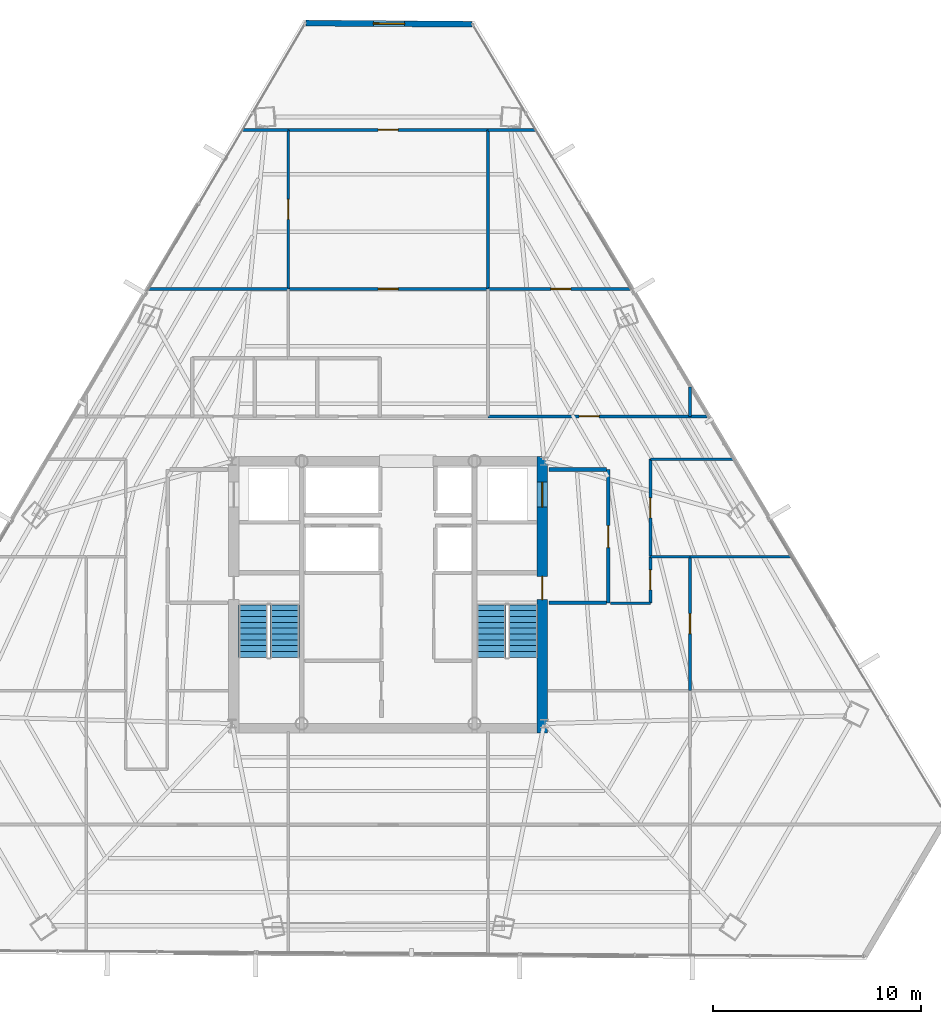
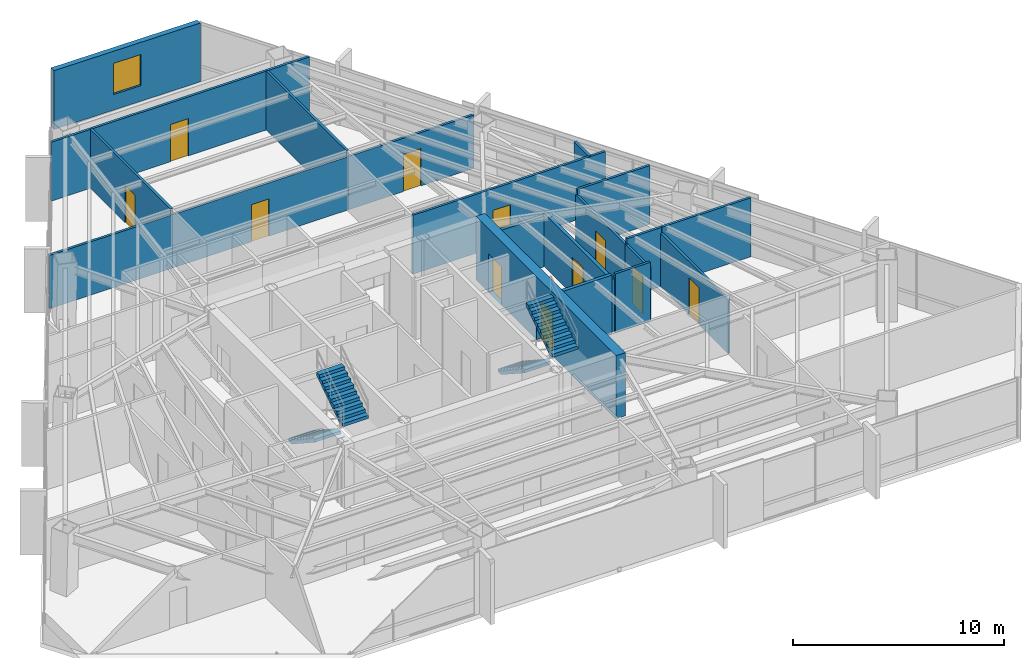
# One storey, part 37 of 41: 22 walls, 11 doors, 4 stair flights, 1 window, 12 openings, 2 elements without a shape of their own.
"""IFC4 building model written with IfcOpenShell, lengths in metres."""

from ifc_helpers import new_model, si_unit, direction, frame, frame_2d, origin, place, context, subcontext, project, spatial, polyline, rectangle, outline, extrude, material, layer, layer_set, type_object, element, fill, aggregate, save


model = new_model("IFC4")

# Units and contexts
model_context = context("Model", 3, precision=1e-05, world=origin(), true_north=direction((0.0, 1.0)))
body_context = subcontext(model_context, "Body", "Model", "MODEL_VIEW")
ifc_project = project(units=[si_unit("LENGTHUNIT", "METRE"), si_unit("AREAUNIT", "SQUARE_METRE"), si_unit("VOLUMEUNIT", "CUBIC_METRE"), si_unit("PLANEANGLEUNIT", "RADIAN"), si_unit("MASSUNIT", "GRAM", prefix="KILO")], contexts=[model_context])

# Site, building, storey
site_placement = place(None, origin())
site = spatial("IfcSite", under=ifc_project, at=site_placement, CompositionType="ELEMENT")
building_placement = place(site_placement, origin())
building = spatial("IfcBuilding", under=site, at=building_placement, Name="Caelisora Broadcast Tower", CompositionType="ELEMENT")
storey_placement = place(building_placement, frame((0.0, 0.0, 169.449951171875)))
storey = spatial("IfcBuildingStorey", under=building, at=storey_placement, Name="L44", CompositionType="ELEMENT", Elevation=169.449951171875)

# Wall, openings, doors
ifc_material_1 = material(Name="Concrete 50 MPa (AS 3600 S50)", Category="concrete")
ifc_layer_1 = layer(ifc_material_1, 0.5, Name="Concrete 50 MPa (AS 3600 S50)")
ifc_layer_set_1 = layer_set([ifc_layer_1], Name="Concrete 50 MPa (AS 3600 S50)")
wall_type_1 = type_object("IfcWallType", Name="CW2", PredefinedType="SHEAR", material=ifc_layer_set_1)
wall_1_placement = place(storey_placement, frame((45.409912109375, 16.949951171875, 0.0), z_axis=(0.0, 0.0, 1.0), x_axis=(0.0, 1.0, 0.0)))
wall_1 = element("IfcWall", 1, at=wall_1_placement, inside=storey, type_object=wall_type_1, Name="L44 core shear wall CW2", PredefinedType="SHEAR", context=body_context, shape_type="SweptSolid", body=[
    extrude(rectangle(XDim=13.275146484375, YDim=0.5, at=frame_2d((6.6376953125, 0.0))), origin(), (0.0, 0.0, 1.0), 3.650146484375),
])
opening_1_placement = place(wall_1_placement, frame((6.39990234375, 0.0, 0.0)))
opening_1 = element("IfcOpeningElement", 2, at=opening_1_placement, cuts=wall_1, Name="Opening FD04", PredefinedType="OPENING", context=body_context, shape_type="SweptSolid", body=[
    extrude(rectangle(XDim=1.1201171875, YDim=2.14990234375, at=frame_2d((0.56005859375, 1.074951171875))), frame((0.0, 0.261962890625, 0.0), z_axis=(0.0, -1.0, 0.0), x_axis=(1.0, 0.0, 0.0)), (0.0, 0.0, 1.0), 0.52392578125),
])
opening_2_placement = place(wall_1_placement, frame((10.85009765625, 0.0, 0.0)))
opening_2 = element("IfcOpeningElement", 3, at=opening_2_placement, cuts=wall_1, Name="Opening LD04", PredefinedType="OPENING", context=body_context, shape_type="SweptSolid", body=[
    extrude(rectangle(XDim=1.199951171875, YDim=2.199951171875, at=frame_2d((0.60009765625, 1.10009765625))), frame((0.0, 0.261962890625, 0.0), z_axis=(0.0, -1.0, 0.0), x_axis=(1.0, 0.0, 0.0)), (0.0, 0.0, 1.0), 0.52392578125),
])
ifc_material_2 = material(Name="Pressurised Fire-Isolated Stair Door", Category="steel")
door_type_1 = type_object("IfcDoorType", Name="FD04", OperationType="NOTDEFINED", PredefinedType="DOOR", material=ifc_material_2)
door_1_placement = place(opening_1_placement, origin())
door_1 = element("IfcDoor", 4, at=door_1_placement, inside=storey, type_object=door_type_1, Name="L44 door FD04 (L44-DR-ST2)", OperationType="SINGLE_SWING_RIGHT", OverallHeight=2.14990234375, OverallWidth=1.1201171875, PredefinedType="DOOR", context=body_context, shape_type="SweptSolid", body=[
    extrude(rectangle(XDim=1.1201171875, YDim=2.14990234375, at=frame_2d((0.56005859375, 1.074951171875))), frame((0.0, 0.02490234375, 0.0), z_axis=(0.0, -1.0, 0.0), x_axis=(1.0, 0.0, 0.0)), (0.0, 0.0, 1.0), 0.050048828125),
])
fill(opening_1, door_1)
ifc_material_3 = material(Name="Emergency Firefighting Lift Sliding Landing Door", Category="steel")
door_type_2 = type_object("IfcDoorType", Name="LD04", OperationType="NOTDEFINED", PredefinedType="DOOR", material=ifc_material_3)
door_2_placement = place(opening_2_placement, origin())
door_2 = element("IfcDoor", 5, at=door_2_placement, inside=storey, type_object=door_type_2, Name="L44 door LD04 (L44-LD-FFL2)", OperationType="SLIDING_TO_RIGHT", OverallHeight=2.199951171875, OverallWidth=1.199951171875, PredefinedType="DOOR", context=body_context, shape_type="SweptSolid", body=[
    extrude(rectangle(XDim=1.199951171875, YDim=2.199951171875, at=frame_2d((0.60009765625, 1.10009765625))), frame((0.0, 0.02490234375, 0.0), z_axis=(0.0, -1.0, 0.0), x_axis=(1.0, 0.0, 0.0)), (0.0, 0.0, 1.0), 0.050048828125),
])
fill(opening_2, door_2)

# Wall, opening, window
ifc_material_4 = material(Name="Insulated Terracotta Spandrel Wall System", Category="masonry")
ifc_layer_2 = layer(ifc_material_4, 0.280029296875, Name="Insulated Terracotta Spandrel Wall System")
ifc_layer_set_2 = layer_set([ifc_layer_2], Name="Insulated Terracotta Spandrel Wall System")
wall_type_2 = type_object("IfcWallType", Name="EW1", PredefinedType="STANDARD", material=ifc_layer_set_2)
wall_2_placement = place(storey_placement, frame((34.06396484375, 51.037841796875, 0.0), z_axis=(0.0, 0.0, 1.0), x_axis=(0.999978888119, -0.006497947104, 0.0)))
wall_2 = element("IfcWall", 6, at=wall_2_placement, inside=storey, type_object=wall_type_2, Name="L44 exterior envelope wall EW1", PredefinedType="STANDARD", context=body_context, shape_type="SweptSolid", body=[
    extrude(rectangle(XDim=7.96533203125, YDim=0.280029296875, at=frame_2d((3.982666015625, 0.0))), origin(), (0.0, 0.0, 1.0), 3.400146484375),
])
opening_3_placement = place(wall_2_placement, frame((3.22998046875, 0.0, 0.89990234375)))
opening_3 = element("IfcOpeningElement", 7, at=opening_3_placement, cuts=wall_2, Name="Opening W02", PredefinedType="OPENING", context=body_context, shape_type="SweptSolid", body=[
    extrude(rectangle(XDim=1.5, YDim=1.800048828125, at=frame_2d((0.75, 0.89990234375))), frame((0.0, 0.152099609375, 0.0), z_axis=(0.0, -1.0, 0.0), x_axis=(1.0, 0.0, 0.0)), (0.0, 0.0, 1.0), 0.303955078125),
])
ifc_material_5 = material(Name="Double Glazed Terracotta-Framed Vision Window", Category="glass")
window_type = type_object("IfcWindowType", Name="W02", PartitioningType="SINGLE_PANEL", PredefinedType="WINDOW", material=ifc_material_5)
window_placement = place(opening_3_placement, origin())
window = element("IfcWindow", 8, at=window_placement, inside=storey, type_object=window_type, Name="L44 window W02 (L44-WN-CH8)", OverallHeight=1.800048828125, OverallWidth=1.5, PartitioningType="SINGLE_PANEL", PredefinedType="WINDOW", context=body_context, shape_type="SweptSolid", body=[
    extrude(rectangle(XDim=1.5, YDim=1.800048828125, at=frame_2d((0.75, 0.89990234375))), frame((0.0, 0.030029296875, 0.0), z_axis=(0.0, -1.0, 0.0), x_axis=(1.0, 0.0, 0.0)), (0.0, 0.0, 1.0), 0.06005859375),
])
fill(opening_3, window)

# Wall, opening, door
ifc_material_6 = material(Name="Fire-Rated Gypsum Shaft and Compartment Wall", Category="gypsum")
ifc_layer_3 = layer(ifc_material_6, 0.179931640625, Name="Fire-Rated Gypsum Shaft and Compartment Wall")
ifc_layer_set_3 = layer_set([ifc_layer_3], Name="Fire-Rated Gypsum Shaft and Compartment Wall")
wall_type_3 = type_object("IfcWallType", Name="PW2", PredefinedType="PARTITIONING", material=ifc_layer_set_3)
wall_3_placement = place(storey_placement, frame((48.580078125, 23.199951171875, 0.0), z_axis=(0.0, 0.0, 1.0), x_axis=(0.0, 1.0, 0.0)))
wall_3 = element("IfcWall", 9, at=wall_3_placement, inside=storey, type_object=wall_type_3, Name="L44 fire compartment wall PW2", PredefinedType="PARTITIONING", context=body_context, shape_type="SweptSolid", body=[
    extrude(rectangle(XDim=6.400146484375, YDim=0.179931640625, at=frame_2d((3.2001953125, 0.0))), origin(), (0.0, 0.0, 1.0), 3.077880859375),
])
opening_4_placement = place(wall_3_placement, frame((2.64990234375, 0.0, 0.0)))
opening_4 = element("IfcOpeningElement", 10, at=opening_4_placement, cuts=wall_3, Name="Opening FD02", PredefinedType="OPENING", context=body_context, shape_type="SweptSolid", body=[
    extrude(rectangle(XDim=1.050048828125, YDim=2.14990234375, at=frame_2d((0.52490234375, 1.074951171875))), frame((0.0, 0.10205078125, 0.0), z_axis=(0.0, -1.0, 0.0), x_axis=(1.0, 0.0, 0.0)), (0.0, 0.0, 1.0), 0.203857421875),
])
ifc_material_7 = material(Name="Single-Leaf Steel Fire Lobby Door", Category="steel")
door_type_3 = type_object("IfcDoorType", Name="FD02", OperationType="NOTDEFINED", PredefinedType="DOOR", material=ifc_material_7)
door_3_placement = place(opening_4_placement, origin())
door_3 = element("IfcDoor", 11, at=door_3_placement, inside=storey, type_object=door_type_3, Name="L44 door FD02 (L44-DR-P04D1)", OperationType="SINGLE_SWING_LEFT", OverallHeight=2.14990234375, OverallWidth=1.050048828125, PredefinedType="DOOR", context=body_context, shape_type="SweptSolid", body=[
    extrude(rectangle(XDim=1.050048828125, YDim=2.14990234375, at=frame_2d((0.52490234375, 1.074951171875))), frame((0.0, 0.02490234375, 0.0), z_axis=(0.0, -1.0, 0.0), x_axis=(1.0, 0.0, 0.0)), (0.0, 0.0, 1.0), 0.050048828125),
])
fill(opening_4, door_3)

# Walls
wall_4_placement = place(storey_placement, frame((45.719970703125, 23.199951171875, 0.0), z_axis=(0.0, 0.0, 1.0), x_axis=(1.0, 0.0, 0.0)))
element("IfcWall", 12, at=wall_4_placement, inside=storey, type_object=wall_type_3, Name="L44 fire compartment wall PW2", PredefinedType="PARTITIONING", context=body_context, shape_type="SweptSolid", body=[
    extrude(rectangle(XDim=2.760009765625, YDim=0.179931640625, at=frame_2d((1.3798828125, 0.0))), origin(), (0.0, 0.0, 1.0), 3.400146484375),
])
wall_5_placement = place(storey_placement, frame((45.719970703125, 29.60009765625, 0.0), z_axis=(0.0, 0.0, 1.0), x_axis=(1.0, 0.0, 0.0)))
element("IfcWall", 13, at=wall_5_placement, inside=storey, type_object=wall_type_3, Name="L44 fire compartment wall PW2", PredefinedType="PARTITIONING", context=body_context, shape_type="SweptSolid", body=[
    extrude(rectangle(XDim=2.760009765625, YDim=0.179931640625, at=frame_2d((1.3798828125, 0.0))), origin(), (0.0, 0.0, 1.0), 2.924560546875),
])

# Wall, opening, door
ifc_material_8 = material(Name="Acoustic Steel-Stud Plasterboard Partition", Category="gypsum")
ifc_layer_4 = layer(ifc_material_8, 0.1298828125, Name="Acoustic Steel-Stud Plasterboard Partition")
ifc_layer_set_4 = layer_set([ifc_layer_4], Name="Acoustic Steel-Stud Plasterboard Partition")
wall_type_4 = type_object("IfcWallType", Name="PW3", PredefinedType="PARTITIONING", material=ifc_layer_set_4)
wall_6_placement = place(storey_placement, frame((42.804931640625, 32.14990234375, 0.0), z_axis=(0.0, 0.0, 1.0), x_axis=(1.0, 0.0, 0.0)))
wall_6 = element("IfcWall", 14, at=wall_6_placement, inside=storey, type_object=wall_type_4, Name="L44 internal partition PW3", PredefinedType="PARTITIONING", context=body_context, shape_type="SweptSolid", body=[
    extrude(rectangle(XDim=10.510498046875, YDim=0.1298828125, at=frame_2d((5.25537109375, 0.0))), origin(), (0.0, 0.0, 1.0), 3.400146484375),
])
opening_5_placement = place(wall_6_placement, frame((4.364990234375, 0.0, 0.0)))
opening_5 = element("IfcOpeningElement", 15, at=opening_5_placement, cuts=wall_6, Name="Opening D01", PredefinedType="OPENING", context=body_context, shape_type="SweptSolid", body=[
    extrude(rectangle(XDim=0.9599609375, YDim=2.14990234375, at=frame_2d((0.47998046875, 1.074951171875))), frame((0.0, 0.076904296875, 0.0), z_axis=(0.0, -1.0, 0.0), x_axis=(1.0, 0.0, 0.0)), (0.0, 0.0, 1.0), 0.15380859375),
])
ifc_material_9 = material(Name="Solid-Core Timber Acoustic Office Door", Category="wood")
door_type_4 = type_object("IfcDoorType", Name="D01", OperationType="NOTDEFINED", PredefinedType="DOOR", material=ifc_material_9)
door_4_placement = place(opening_5_placement, origin())
door_4 = element("IfcDoor", 16, at=door_4_placement, inside=storey, type_object=door_type_4, Name="L44 door D01 (L44-DR-P28D1)", OperationType="SINGLE_SWING_LEFT", OverallHeight=2.14990234375, OverallWidth=0.9599609375, PredefinedType="DOOR", context=body_context, shape_type="SweptSolid", body=[
    extrude(rectangle(XDim=0.9599609375, YDim=2.14990234375, at=frame_2d((0.47998046875, 1.074951171875))), frame((0.0, 0.02490234375, 0.0), z_axis=(0.0, -1.0, 0.0), x_axis=(1.0, 0.0, 0.0)), (0.0, 0.0, 1.0), 0.050048828125),
])
fill(opening_5, door_4)

wall_7_placement = place(storey_placement, frame((33.205078125, 45.909912109375, 0.0), z_axis=(0.0, 0.0, 1.0), x_axis=(1.0, 0.0, 0.0)))
wall_7 = element("IfcWall", 17, at=wall_7_placement, inside=storey, type_object=wall_type_4, Name="L44 internal partition PW3", PredefinedType="PARTITIONING", context=body_context, shape_type="SweptSolid", body=[
    extrude(rectangle(XDim=9.58984375, YDim=0.1298828125, at=frame_2d((4.794921875, 0.0))), origin(), (0.0, 0.0, 1.0), 3.400146484375),
])
opening_6_placement = place(wall_7_placement, frame((4.31494140625, 0.0, 0.0)))
opening_6 = element("IfcOpeningElement", 18, at=opening_6_placement, cuts=wall_7, Name="Opening D01", PredefinedType="OPENING", context=body_context, shape_type="SweptSolid", body=[
    extrude(rectangle(XDim=0.9599609375, YDim=2.14990234375, at=frame_2d((0.47998046875, 1.074951171875))), frame((0.0, 0.076904296875, 0.0), z_axis=(0.0, -1.0, 0.0), x_axis=(1.0, 0.0, 0.0)), (0.0, 0.0, 1.0), 0.15380859375),
])
door_5_placement = place(opening_6_placement, origin())
door_5 = element("IfcDoor", 19, at=door_5_placement, inside=storey, type_object=door_type_4, Name="L44 door D01 (L44-DR-P32D1)", OperationType="SINGLE_SWING_LEFT", OverallHeight=2.14990234375, OverallWidth=0.9599609375, PredefinedType="DOOR", context=body_context, shape_type="SweptSolid", body=[
    extrude(rectangle(XDim=0.9599609375, YDim=2.14990234375, at=frame_2d((0.47998046875, 1.074951171875))), frame((0.0, 0.02490234375, 0.0), z_axis=(0.0, -1.0, 0.0), x_axis=(1.0, 0.0, 0.0)), (0.0, 0.0, 1.0), 0.050048828125),
])
fill(opening_6, door_5)

wall_8_placement = place(storey_placement, frame((33.205078125, 38.27001953125, 0.0), z_axis=(0.0, 0.0, 1.0), x_axis=(1.0, 0.0, 0.0)))
wall_8 = element("IfcWall", 20, at=wall_8_placement, inside=storey, type_object=wall_type_4, Name="L44 internal partition PW3", PredefinedType="PARTITIONING", context=body_context, shape_type="SweptSolid", body=[
    extrude(rectangle(XDim=9.58984375, YDim=0.1298828125, at=frame_2d((4.794921875, 0.0))), origin(), (0.0, 0.0, 1.0), 3.077880859375),
])
opening_7_placement = place(wall_8_placement, frame((4.31494140625, 0.0, 0.0)))
opening_7 = element("IfcOpeningElement", 21, at=opening_7_placement, cuts=wall_8, Name="Opening D01", PredefinedType="OPENING", context=body_context, shape_type="SweptSolid", body=[
    extrude(rectangle(XDim=0.9599609375, YDim=2.14990234375, at=frame_2d((0.47998046875, 1.074951171875))), frame((0.0, 0.076904296875, 0.0), z_axis=(0.0, -1.0, 0.0), x_axis=(1.0, 0.0, 0.0)), (0.0, 0.0, 1.0), 0.15380859375),
])
door_6_placement = place(opening_7_placement, origin())
door_6 = element("IfcDoor", 22, at=door_6_placement, inside=storey, type_object=door_type_4, Name="L44 door D01 (L44-DR-P33D1)", OperationType="SINGLE_SWING_RIGHT", OverallHeight=2.14990234375, OverallWidth=0.9599609375, PredefinedType="DOOR", context=body_context, shape_type="SweptSolid", body=[
    extrude(rectangle(XDim=0.9599609375, YDim=2.14990234375, at=frame_2d((0.47998046875, 1.074951171875))), frame((0.0, 0.02490234375, 0.0), z_axis=(0.0, -1.0, 0.0), x_axis=(1.0, 0.0, 0.0)), (0.0, 0.0, 1.0), 0.050048828125),
])
fill(opening_7, door_6)

# Wall
wall_9_placement = place(storey_placement, frame((42.800048828125, 38.27490234375, 0.0), z_axis=(0.0, 0.0, 1.0), x_axis=(0.0, 1.0, 0.0)))
element("IfcWall", 23, at=wall_9_placement, inside=storey, type_object=wall_type_4, Name="L44 internal partition PW3", PredefinedType="PARTITIONING", context=body_context, shape_type="SweptSolid", body=[
    extrude(rectangle(XDim=7.630126953125, YDim=0.1298828125, at=frame_2d((3.81494140625, 0.0))), origin(), (0.0, 0.0, 1.0), 3.400146484375),
])

# Wall, opening, door
wall_10_placement = place(storey_placement, frame((33.199951171875, 38.27490234375, 0.0), z_axis=(0.0, 0.0, 1.0), x_axis=(0.0, 1.0, 0.0)))
wall_10 = element("IfcWall", 24, at=wall_10_placement, inside=storey, type_object=wall_type_4, Name="L44 internal partition PW3", PredefinedType="PARTITIONING", context=body_context, shape_type="SweptSolid", body=[
    extrude(rectangle(XDim=7.630126953125, YDim=0.1298828125, at=frame_2d((3.81494140625, 0.0))), origin(), (0.0, 0.0, 1.0), 3.400146484375),
])
opening_8_placement = place(wall_10_placement, frame((3.3349609375, 0.0, 0.0)))
opening_8 = element("IfcOpeningElement", 25, at=opening_8_placement, cuts=wall_10, Name="Opening D01", PredefinedType="OPENING", context=body_context, shape_type="SweptSolid", body=[
    extrude(rectangle(XDim=0.9599609375, YDim=2.14990234375, at=frame_2d((0.47998046875, 1.074951171875))), frame((0.0, 0.076904296875, 0.0), z_axis=(0.0, -1.0, 0.0), x_axis=(1.0, 0.0, 0.0)), (0.0, 0.0, 1.0), 0.15380859375),
])
door_7_placement = place(opening_8_placement, origin())
door_7 = element("IfcDoor", 26, at=door_7_placement, inside=storey, type_object=door_type_4, Name="L44 door D01 (L44-DR-P38D1)", OperationType="SINGLE_SWING_LEFT", OverallHeight=2.14990234375, OverallWidth=0.9599609375, PredefinedType="DOOR", context=body_context, shape_type="SweptSolid", body=[
    extrude(rectangle(XDim=0.9599609375, YDim=2.14990234375, at=frame_2d((0.47998046875, 1.074951171875))), frame((0.0, 0.02490234375, 0.0), z_axis=(0.0, -1.0, 0.0), x_axis=(1.0, 0.0, 0.0)), (0.0, 0.0, 1.0), 0.050048828125),
])
fill(opening_8, door_7)

wall_11_placement = place(storey_placement, frame((42.804931640625, 38.27001953125, 0.0), z_axis=(0.0, 0.0, 1.0), x_axis=(1.0, 0.0, 0.0)))
wall_11 = element("IfcWall", 27, at=wall_11_placement, inside=storey, type_object=wall_type_4, Name="L44 internal partition PW3", PredefinedType="PARTITIONING", context=body_context, shape_type="SweptSolid", body=[
    extrude(rectangle(XDim=6.872314453125, YDim=0.1298828125, at=frame_2d((3.43603515625, 0.0))), origin(), (0.0, 0.0, 1.0), 3.077880859375),
])
opening_9_placement = place(wall_11_placement, frame((3.011962890625, 0.0, 0.0)))
opening_9 = element("IfcOpeningElement", 28, at=opening_9_placement, cuts=wall_11, Name="Opening D01", PredefinedType="OPENING", context=body_context, shape_type="SweptSolid", body=[
    extrude(rectangle(XDim=0.9599609375, YDim=2.14990234375, at=frame_2d((0.47998046875, 1.074951171875))), frame((0.0, 0.076904296875, 0.0), z_axis=(0.0, -1.0, 0.0), x_axis=(1.0, 0.0, 0.0)), (0.0, 0.0, 1.0), 0.15380859375),
])
door_8_placement = place(opening_9_placement, origin())
door_8 = element("IfcDoor", 29, at=door_8_placement, inside=storey, type_object=door_type_4, Name="L44 door D01 (L44-DR-P39D1)", OperationType="SINGLE_SWING_RIGHT", OverallHeight=2.14990234375, OverallWidth=0.9599609375, PredefinedType="DOOR", context=body_context, shape_type="SweptSolid", body=[
    extrude(rectangle(XDim=0.9599609375, YDim=2.14990234375, at=frame_2d((0.47998046875, 1.074951171875))), frame((0.0, 0.02490234375, 0.0), z_axis=(0.0, -1.0, 0.0), x_axis=(1.0, 0.0, 0.0)), (0.0, 0.0, 1.0), 0.050048828125),
])
fill(opening_9, door_8)

# Wall
wall_12_placement = place(storey_placement, frame((26.498291015625, 38.27001953125, 0.0), z_axis=(0.0, 0.0, 1.0), x_axis=(1.0, 0.0, 0.0)))
element("IfcWall", 30, at=wall_12_placement, inside=storey, type_object=wall_type_4, Name="L44 internal partition PW3", PredefinedType="PARTITIONING", context=body_context, shape_type="SweptSolid", body=[
    extrude(rectangle(XDim=6.69677734375, YDim=0.1298828125, at=frame_2d((3.348388671875, 0.0))), origin(), (0.0, 0.0, 1.0), 3.077880859375),
])

# Wall, opening, door
wall_13_placement = place(storey_placement, frame((52.5, 18.985107421875, 0.0), z_axis=(0.0, 0.0, 1.0), x_axis=(0.0, 1.0, 0.0)))
wall_13 = element("IfcWall", 31, at=wall_13_placement, inside=storey, type_object=wall_type_4, Name="L44 internal partition PW3", PredefinedType="PARTITIONING", context=body_context, shape_type="SweptSolid", body=[
    extrude(rectangle(XDim=6.419921875, YDim=0.1298828125, at=frame_2d((3.2099609375, 0.0))), origin(), (0.0, 0.0, 1.0), 3.077880859375),
])
opening_10_placement = place(wall_13_placement, frame((2.72998046875, 0.0, 0.0)))
opening_10 = element("IfcOpeningElement", 32, at=opening_10_placement, cuts=wall_13, Name="Opening D01", PredefinedType="OPENING", context=body_context, shape_type="SweptSolid", body=[
    extrude(rectangle(XDim=0.9599609375, YDim=2.14990234375, at=frame_2d((0.47998046875, 1.074951171875))), frame((0.0, 0.076904296875, 0.0), z_axis=(0.0, -1.0, 0.0), x_axis=(1.0, 0.0, 0.0)), (0.0, 0.0, 1.0), 0.15380859375),
])
door_9_placement = place(opening_10_placement, origin())
door_9 = element("IfcDoor", 33, at=door_9_placement, inside=storey, type_object=door_type_4, Name="L44 door D01 (L44-DR-P46D1)", OperationType="SINGLE_SWING_LEFT", OverallHeight=2.14990234375, OverallWidth=0.9599609375, PredefinedType="DOOR", context=body_context, shape_type="SweptSolid", body=[
    extrude(rectangle(XDim=0.9599609375, YDim=2.14990234375, at=frame_2d((0.47998046875, 1.074951171875))), frame((0.0, 0.02490234375, 0.0), z_axis=(0.0, -1.0, 0.0), x_axis=(1.0, 0.0, 0.0)), (0.0, 0.0, 1.0), 0.050048828125),
])
fill(opening_10, door_9)

# Wall
wall_14_placement = place(storey_placement, frame((52.5048828125, 25.409912109375, 0.0), z_axis=(0.0, 0.0, 1.0), x_axis=(1.0, 0.0, 0.0)))
element("IfcWall", 34, at=wall_14_placement, inside=storey, type_object=wall_type_4, Name="L44 internal partition PW3", PredefinedType="PARTITIONING", context=body_context, shape_type="SweptSolid", body=[
    extrude(rectangle(XDim=4.87158203125, YDim=0.1298828125, at=frame_2d((2.435791015625, 0.0))), origin(), (0.0, 0.0, 1.0), 3.400146484375),
])

# Wall, opening, door
wall_15_placement = place(storey_placement, frame((50.60009765625, 25.4150390625, 0.0), z_axis=(0.0, 0.0, 1.0), x_axis=(0.0, 1.0, 0.0)))
wall_15 = element("IfcWall", 35, at=wall_15_placement, inside=storey, type_object=wall_type_4, Name="L44 internal partition PW3", PredefinedType="PARTITIONING", context=body_context, shape_type="SweptSolid", body=[
    extrude(rectangle(XDim=4.679931640625, YDim=0.1298828125, at=frame_2d((2.33984375, 0.0))), origin(), (0.0, 0.0, 1.0), 3.077880859375),
])
opening_11_placement = place(wall_15_placement, frame((1.860107421875, 0.0, 0.0)))
opening_11 = element("IfcOpeningElement", 36, at=opening_11_placement, cuts=wall_15, Name="Opening D01", PredefinedType="OPENING", context=body_context, shape_type="SweptSolid", body=[
    extrude(rectangle(XDim=0.9599609375, YDim=2.14990234375, at=frame_2d((0.47998046875, 1.074951171875))), frame((0.0, 0.076904296875, 0.0), z_axis=(0.0, -1.0, 0.0), x_axis=(1.0, 0.0, 0.0)), (0.0, 0.0, 1.0), 0.15380859375),
])
door_10_placement = place(opening_11_placement, origin())
door_10 = element("IfcDoor", 37, at=door_10_placement, inside=storey, type_object=door_type_4, Name="L44 door D01 (L44-DR-P57D1)", OperationType="SINGLE_SWING_RIGHT", OverallHeight=2.14990234375, OverallWidth=0.9599609375, PredefinedType="DOOR", context=body_context, shape_type="SweptSolid", body=[
    extrude(rectangle(XDim=0.9599609375, YDim=2.14990234375, at=frame_2d((0.47998046875, 1.074951171875))), frame((0.0, 0.02490234375, 0.0), z_axis=(0.0, -1.0, 0.0), x_axis=(1.0, 0.0, 0.0)), (0.0, 0.0, 1.0), 0.050048828125),
])
fill(opening_11, door_10)

# Walls
wall_16_placement = place(storey_placement, frame((50.60498046875, 30.10009765625, 0.0), z_axis=(0.0, 0.0, 1.0), x_axis=(1.0, 0.0, 0.0)))
element("IfcWall", 38, at=wall_16_placement, inside=storey, type_object=wall_type_4, Name="L44 internal partition PW3", PredefinedType="PARTITIONING", context=body_context, shape_type="SweptSolid", body=[
    extrude(rectangle(XDim=3.963623046875, YDim=0.1298828125, at=frame_2d((1.98193359375, 0.0))), origin(), (0.0, 0.0, 1.0), 3.400146484375),
])
wall_17_placement = place(storey_placement, frame((42.804931640625, 45.909912109375, 0.0), z_axis=(0.0, 0.0, 1.0), x_axis=(1.0, 0.0, 0.0)))
element("IfcWall", 39, at=wall_17_placement, inside=storey, type_object=wall_type_4, Name="L44 internal partition PW3", PredefinedType="PARTITIONING", context=body_context, shape_type="SweptSolid", body=[
    extrude(rectangle(XDim=2.29833984375, YDim=0.1298828125, at=frame_2d((1.149169921875, 0.0))), origin(), (0.0, 0.0, 1.0), 3.400146484375),
])
wall_18_placement = place(storey_placement, frame((31.00390625, 45.909912109375, 0.0), z_axis=(0.0, 0.0, 1.0), x_axis=(1.0, 0.0, 0.0)))
element("IfcWall", 40, at=wall_18_placement, inside=storey, type_object=wall_type_4, Name="L44 internal partition PW3", PredefinedType="PARTITIONING", context=body_context, shape_type="SweptSolid", body=[
    extrude(rectangle(XDim=2.191162109375, YDim=0.1298828125, at=frame_2d((1.095703125, 0.0))), origin(), (0.0, 0.0, 1.0), 3.400146484375),
])

# Wall, opening, door
wall_19_placement = place(storey_placement, frame((50.60009765625, 23.18505859375, 0.0), z_axis=(0.0, 0.0, 1.0), x_axis=(0.0, 1.0, 0.0)))
wall_19 = element("IfcWall", 41, at=wall_19_placement, inside=storey, type_object=wall_type_4, Name="L44 internal partition PW3", PredefinedType="PARTITIONING", context=body_context, shape_type="SweptSolid", body=[
    extrude(rectangle(XDim=2.219970703125, YDim=0.1298828125, at=frame_2d((1.10986328125, 0.0))), origin(), (0.0, 0.0, 1.0), 3.077880859375),
])
opening_12_placement = place(wall_19_placement, frame((0.6298828125, 0.0, 0.0)))
opening_12 = element("IfcOpeningElement", 42, at=opening_12_placement, cuts=wall_19, Name="Opening D01", PredefinedType="OPENING", context=body_context, shape_type="SweptSolid", body=[
    extrude(rectangle(XDim=0.9599609375, YDim=2.14990234375, at=frame_2d((0.47998046875, 1.074951171875))), frame((0.0, 0.076904296875, 0.0), z_axis=(0.0, -1.0, 0.0), x_axis=(1.0, 0.0, 0.0)), (0.0, 0.0, 1.0), 0.15380859375),
])
door_11_placement = place(opening_12_placement, origin())
door_11 = element("IfcDoor", 43, at=door_11_placement, inside=storey, type_object=door_type_4, Name="L44 door D01 (L44-DR-P69D1)", OperationType="SINGLE_SWING_LEFT", OverallHeight=2.14990234375, OverallWidth=0.9599609375, PredefinedType="DOOR", context=body_context, shape_type="SweptSolid", body=[
    extrude(rectangle(XDim=0.9599609375, YDim=2.14990234375, at=frame_2d((0.47998046875, 1.074951171875))), frame((0.0, 0.02490234375, 0.0), z_axis=(0.0, -1.0, 0.0), x_axis=(1.0, 0.0, 0.0)), (0.0, 0.0, 1.0), 0.050048828125),
])
fill(opening_12, door_11)

# Walls
wall_20_placement = place(storey_placement, frame((48.675048828125, 23.179931640625, 0.0), z_axis=(0.0, 0.0, 1.0), x_axis=(1.0, 0.0, 0.0)))
element("IfcWall", 44, at=wall_20_placement, inside=storey, type_object=wall_type_4, Name="L44 internal partition PW3", PredefinedType="PARTITIONING", context=body_context, shape_type="SweptSolid", body=[
    extrude(rectangle(XDim=1.919921875, YDim=0.1298828125, at=frame_2d((0.9599609375, 0.0))), origin(), (0.0, 0.0, 1.0), 3.400146484375),
])
wall_21_placement = place(storey_placement, frame((50.60498046875, 25.409912109375, 0.0), z_axis=(0.0, 0.0, 1.0), x_axis=(1.0, 0.0, 0.0)))
element("IfcWall", 45, at=wall_21_placement, inside=storey, type_object=wall_type_4, Name="L44 internal partition PW3", PredefinedType="PARTITIONING", context=body_context, shape_type="SweptSolid", body=[
    extrude(rectangle(XDim=1.89013671875, YDim=0.1298828125, at=frame_2d((0.945068359375, 0.0))), origin(), (0.0, 0.0, 1.0), 3.400146484375),
])
wall_22_placement = place(storey_placement, frame((52.5, 32.155029296875, 0.0), z_axis=(0.0, 0.0, 1.0), x_axis=(0.0, 1.0, 0.0)))
element("IfcWall", 46, at=wall_22_placement, inside=storey, type_object=wall_type_4, Name="L44 internal partition PW3", PredefinedType="PARTITIONING", context=body_context, shape_type="SweptSolid", body=[
    extrude(rectangle(XDim=1.400146484375, YDim=0.1298828125, at=frame_2d((0.7001953125, 0.0))), origin(), (0.0, 0.0, 1.0), 3.400146484375),
])

# Stair, stair flights
ifc_material_10 = material(Name="Concrete 40 MPa (AS 3600 N40)", Category="concrete")
stair_type_1 = type_object("IfcStairType", Name="ST-1", PredefinedType="HALF_TURN_STAIR", material=ifc_material_10)
stair_1_placement = place(storey_placement, origin())
stair_1 = element("IfcStair", 47, at=stair_1_placement, inside=storey, type_object=stair_type_1, Name="L44 West Fire-Isolated Tower Stair", PredefinedType="HALF_TURN_STAIR")
stair_flight_type = type_object("IfcStairFlightType", Name="STF-3", PredefinedType="STRAIGHT", material=ifc_material_10)
stair_flight_1_placement = place(storey_placement, frame((31.52001953125, 23.10009765625, 0.0), z_axis=(0.0, 0.0, 1.0), x_axis=(0.0, -1.0, 0.0)))
stair_flight_1 = element("IfcStairFlight", 48, at=stair_flight_1_placement, type_object=stair_flight_type, Name="ST-1 flight 1", NumberOfRisers=10, NumberOfTreads=9, PredefinedType="STRAIGHT", RiserHeight=0.1825, TreadLength=0.28, context=body_context, shape_type="SweptSolid", body=[
    extrude(outline(polyline([(0.0, 0.0), (0.0, 0.1826171875), (0.280029296875, 0.1826171875), (0.280029296875, 0.364990234375), (0.56005859375, 0.364990234375), (0.56005859375, 0.547607421875), (0.840087890625, 0.547607421875), (0.840087890625, 0.72998046875), (1.1201171875, 0.72998046875), (1.1201171875, 0.91259765625), (1.39990234375, 0.91259765625), (1.39990234375, 1.094970703125), (1.679931640625, 1.094970703125), (1.679931640625, 1.277587890625), (1.9599609375, 1.277587890625), (1.9599609375, 1.4599609375), (2.239990234375, 1.4599609375), (2.239990234375, 1.642578125), (2.52001953125, 1.642578125), (2.52001953125, 1.824951171875), (2.52001953125, 1.463623046875), (0.2744140625, 0.0), (0.0, 0.0)])), frame((0.0, 0.699951171875, 0.0), z_axis=(0.0, -1.0, 0.0), x_axis=(1.0, 0.0, 0.0)), (0.0, 0.0, 1.0), 1.39990234375),
])
stair_flight_2_placement = place(storey_placement, frame((33.0400390625, 20.580078125, 1.824951171875), z_axis=(0.0, 0.0, 1.0), x_axis=(0.0, 1.0, 0.0)))
stair_flight_2 = element("IfcStairFlight", 49, at=stair_flight_2_placement, type_object=stair_flight_type, Name="ST-1 flight 2", NumberOfRisers=10, NumberOfTreads=9, PredefinedType="STRAIGHT", RiserHeight=0.1825, TreadLength=0.28, context=body_context, shape_type="SweptSolid", body=[
    extrude(outline(polyline([(0.0, 0.0), (0.0, 0.1826171875), (0.280029296875, 0.1826171875), (0.280029296875, 0.364990234375), (0.56005859375, 0.364990234375), (0.56005859375, 0.547607421875), (0.840087890625, 0.547607421875), (0.840087890625, 0.72998046875), (1.1201171875, 0.72998046875), (1.1201171875, 0.91259765625), (1.39990234375, 0.91259765625), (1.39990234375, 1.094970703125), (1.679931640625, 1.094970703125), (1.679931640625, 1.277587890625), (1.9599609375, 1.277587890625), (1.9599609375, 1.4599609375), (2.239990234375, 1.4599609375), (2.239990234375, 1.642578125), (2.52001953125, 1.642578125), (2.52001953125, 1.824951171875), (2.52001953125, 1.463623046875), (0.2744140625, 0.0), (0.0, 0.0)])), frame((0.0, 0.699951171875, 0.0), z_axis=(0.0, -1.0, 0.0), x_axis=(1.0, 0.0, 0.0)), (0.0, 0.0, 1.0), 1.39990234375),
])
aggregate(stair_1, [stair_flight_1, stair_flight_2])

stair_type_2 = type_object("IfcStairType", Name="ST-2", PredefinedType="HALF_TURN_STAIR", material=ifc_material_10)
stair_2_placement = place(storey_placement, origin())
stair_2 = element("IfcStair", 50, at=stair_2_placement, inside=storey, type_object=stair_type_2, Name="L44 East Fire-Isolated Tower Stair", PredefinedType="HALF_TURN_STAIR")
stair_flight_3_placement = place(storey_placement, frame((42.9599609375, 23.10009765625, 0.0), z_axis=(0.0, 0.0, 1.0), x_axis=(0.0, -1.0, 0.0)))
stair_flight_3 = element("IfcStairFlight", 51, at=stair_flight_3_placement, type_object=stair_flight_type, Name="ST-2 flight 1", NumberOfRisers=10, NumberOfTreads=9, PredefinedType="STRAIGHT", RiserHeight=0.1825, TreadLength=0.28, context=body_context, shape_type="SweptSolid", body=[
    extrude(outline(polyline([(0.0, 0.0), (0.0, 0.1826171875), (0.280029296875, 0.1826171875), (0.280029296875, 0.364990234375), (0.56005859375, 0.364990234375), (0.56005859375, 0.547607421875), (0.840087890625, 0.547607421875), (0.840087890625, 0.72998046875), (1.1201171875, 0.72998046875), (1.1201171875, 0.91259765625), (1.39990234375, 0.91259765625), (1.39990234375, 1.094970703125), (1.679931640625, 1.094970703125), (1.679931640625, 1.277587890625), (1.9599609375, 1.277587890625), (1.9599609375, 1.4599609375), (2.239990234375, 1.4599609375), (2.239990234375, 1.642578125), (2.52001953125, 1.642578125), (2.52001953125, 1.824951171875), (2.52001953125, 1.463623046875), (0.2744140625, 0.0), (0.0, 0.0)])), frame((0.0, 0.699951171875, 0.0), z_axis=(0.0, -1.0, 0.0), x_axis=(1.0, 0.0, 0.0)), (0.0, 0.0, 1.0), 1.39990234375),
])
stair_flight_4_placement = place(storey_placement, frame((44.47998046875, 20.580078125, 1.824951171875), z_axis=(0.0, 0.0, 1.0), x_axis=(0.0, 1.0, 0.0)))
stair_flight_4 = element("IfcStairFlight", 52, at=stair_flight_4_placement, type_object=stair_flight_type, Name="ST-2 flight 2", NumberOfRisers=10, NumberOfTreads=9, PredefinedType="STRAIGHT", RiserHeight=0.1825, TreadLength=0.28, context=body_context, shape_type="SweptSolid", body=[
    extrude(outline(polyline([(0.0, 0.0), (0.0, 0.1826171875), (0.280029296875, 0.1826171875), (0.280029296875, 0.364990234375), (0.56005859375, 0.364990234375), (0.56005859375, 0.547607421875), (0.840087890625, 0.547607421875), (0.840087890625, 0.72998046875), (1.1201171875, 0.72998046875), (1.1201171875, 0.91259765625), (1.39990234375, 0.91259765625), (1.39990234375, 1.094970703125), (1.679931640625, 1.094970703125), (1.679931640625, 1.277587890625), (1.9599609375, 1.277587890625), (1.9599609375, 1.4599609375), (2.239990234375, 1.4599609375), (2.239990234375, 1.642578125), (2.52001953125, 1.642578125), (2.52001953125, 1.824951171875), (2.52001953125, 1.463623046875), (0.2744140625, 0.0), (0.0, 0.0)])), frame((0.0, 0.699951171875, 0.0), z_axis=(0.0, -1.0, 0.0), x_axis=(1.0, 0.0, 0.0)), (0.0, 0.0, 1.0), 1.39990234375),
])
aggregate(stair_2, [stair_flight_3, stair_flight_4])

save(model, "model.ifc")
